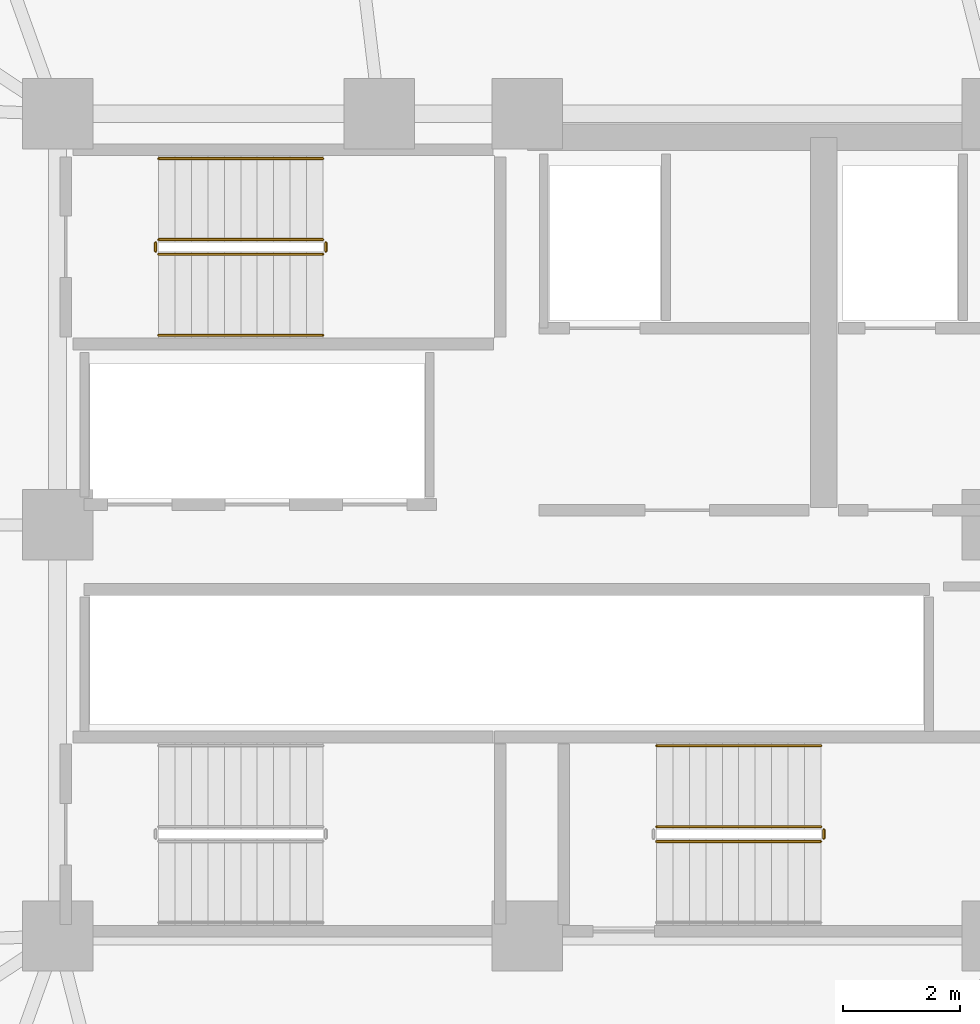
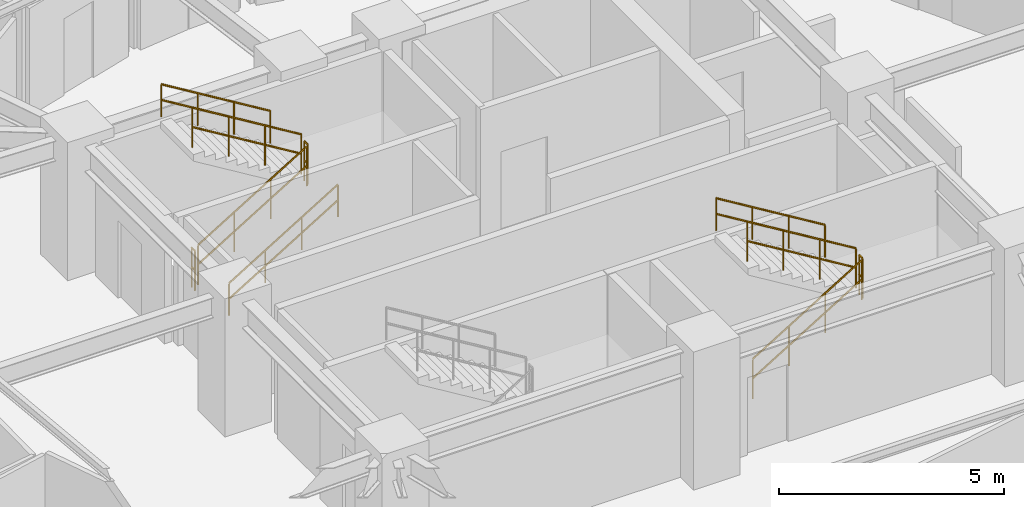
# One storey, part 34 of 35: 10 railings.
"""IFC4 building model written with IfcOpenShell, lengths in metres."""

from ifc_helpers import new_model, si_unit, direction, frame, origin, place, context, subcontext, project, spatial, polyline, outline, extrude, material, type_object, element, save


model = new_model("IFC4")

# Units and contexts
model_context = context("Model", 3, precision=1e-05, world=origin(), true_north=direction((0.0, 1.0)))
body_context = subcontext(model_context, "Body", "Model", "MODEL_VIEW")
ifc_project = project(units=[si_unit("LENGTHUNIT", "METRE"), si_unit("AREAUNIT", "SQUARE_METRE"), si_unit("VOLUMEUNIT", "CUBIC_METRE"), si_unit("PLANEANGLEUNIT", "RADIAN"), si_unit("MASSUNIT", "GRAM", prefix="KILO")], contexts=[model_context])

# Site, building, storey
site_placement = place(None, origin())
site = spatial("IfcSite", under=ifc_project, at=site_placement, CompositionType="ELEMENT")
building_placement = place(site_placement, origin())
building = spatial("IfcBuilding", under=site, at=building_placement, Name="Kelanora Arch Commons", CompositionType="ELEMENT")
storey_placement = place(building_placement, frame((0.0, 0.0, 117.60009765625)))
storey = spatial("IfcBuildingStorey", under=building, at=storey_placement, Name="L30", CompositionType="ELEMENT", Elevation=117.60009765625)

# Railings
ifc_material_1 = material(Name="Painted steel stair well guard", Category="steel")
railing_type_1 = type_object("IfcRailingType", Name="RAIL-STAIR-GRD", PredefinedType="GUARDRAIL", material=ifc_material_1)
railing_1_placement = place(storey_placement, frame((67.719970703125, 62.610107421875, 0.17041015625)))
element("IfcRailing", 1, at=railing_1_placement, inside=storey, type_object=railing_type_1, Name="L30 ST-T1 stair guard 1", PredefinedType="GUARDRAIL", context=body_context, shape_type="SweptSolid", body=[
    extrude(outline(polyline([(0.02392578125, 0.0), (0.011962890625, 0.020751953125), (-0.011962890625, 0.020751953125), (-0.02392578125, 0.0), (-0.011962890625, -0.020751953125), (0.011962890625, -0.020751953125), (0.02392578125, 0.0)])), frame((0.0, 0.0, 1.076171875), z_axis=(0.854169791009, 0.0, 0.51999420009), x_axis=(0.0, 1.0, 0.0)), (0.0, 0.0, 1.0), 3.278076171875),
    extrude(outline(polyline([(0.02392578125, 0.0), (0.011962890625, 0.020751953125), (-0.011962890625, 0.020751953125), (-0.02392578125, 0.0), (-0.011962890625, -0.020751953125), (0.011962890625, -0.020751953125), (0.02392578125, 0.0)])), frame((0.0, 0.0, 0.550048828125), z_axis=(0.854169791009, 0.0, 0.51999420009), x_axis=(0.0, 1.0, 0.0)), (0.0, 0.0, 1.0), 3.278076171875),
    extrude(outline(polyline([(0.02099609375, 0.0), (0.010498046875, 0.01806640625), (-0.010498046875, 0.01806640625), (-0.02099609375, 0.0), (-0.010498046875, -0.01806640625), (0.010498046875, -0.01806640625), (0.02099609375, 0.0)])), origin(), (0.0, 0.0, 1.0), 1.052001953125),
    extrude(outline(polyline([(0.02099609375, 0.0), (0.010498046875, 0.01806640625), (-0.010498046875, 0.01806640625), (-0.02099609375, 0.0), (-0.010498046875, -0.01806640625), (0.010498046875, -0.01806640625), (0.02099609375, 0.0)])), frame((0.933349609375, 0.0, 0.568115234375)), (0.0, 0.0, 1.0), 1.052001953125),
    extrude(outline(polyline([(0.02099609375, 0.0), (0.010498046875, 0.01806640625), (-0.010498046875, 0.01806640625), (-0.02099609375, 0.0), (-0.010498046875, -0.01806640625), (0.010498046875, -0.01806640625), (0.02099609375, 0.0)])), frame((1.86669921875, 0.0, 1.136474609375)), (0.0, 0.0, 1.0), 1.052001953125),
    extrude(outline(polyline([(0.02099609375, 0.0), (0.010498046875, 0.01806640625), (-0.010498046875, 0.01806640625), (-0.02099609375, 0.0), (-0.010498046875, -0.01806640625), (0.010498046875, -0.01806640625), (0.02099609375, 0.0)])), frame((2.800048828125, 0.0, 1.70458984375)), (0.0, 0.0, 1.0), 1.052001953125),
])
railing_2_placement = place(storey_placement, frame((70.570068359375, 62.659912109375, 1.875)))
element("IfcRailing", 2, at=railing_2_placement, inside=storey, type_object=railing_type_1, Name="L30 ST-T1 stair guard 2", PredefinedType="GUARDRAIL", context=body_context, shape_type="SweptSolid", body=[
    extrude(outline(polyline([(0.02392578125, 0.0), (0.011962890625, 0.020751953125), (-0.011962890625, 0.020751953125), (-0.02392578125, 0.0), (-0.011962890625, -0.020751953125), (0.011962890625, -0.020751953125), (0.02392578125, 0.0)])), frame((0.0, 0.0, 1.076171875), z_axis=(0.0, 1.0, 0.0), x_axis=(-1.0, 0.0, 0.0)), (0.0, 0.0, 1.0), 0.150146484375),
    extrude(outline(polyline([(0.02392578125, 0.0), (0.011962890625, 0.020751953125), (-0.011962890625, 0.020751953125), (-0.02392578125, 0.0), (-0.011962890625, -0.020751953125), (0.011962890625, -0.020751953125), (0.02392578125, 0.0)])), frame((0.0, 0.0, 0.550048828125), z_axis=(0.0, 1.0, 0.0), x_axis=(-1.0, 0.0, 0.0)), (0.0, 0.0, 1.0), 0.150146484375),
    extrude(outline(polyline([(0.02099609375, 0.0), (0.010498046875, 0.01806640625), (-0.010498046875, 0.01806640625), (-0.02099609375, 0.0), (-0.010498046875, -0.01806640625), (0.010498046875, -0.01806640625), (0.02099609375, 0.0)])), origin(), (0.0, 0.0, 1.0), 1.052001953125),
    extrude(outline(polyline([(0.02099609375, 0.0), (0.010498046875, 0.01806640625), (-0.010498046875, 0.01806640625), (-0.02099609375, 0.0), (-0.010498046875, -0.01806640625), (0.010498046875, -0.01806640625), (0.02099609375, 0.0)])), frame((0.0, 0.150146484375, 0.0)), (0.0, 0.0, 1.0), 1.052001953125),
])
railing_3_placement = place(storey_placement, frame((70.52001953125, 62.860107421875, 2.04541015625)))
element("IfcRailing", 3, at=railing_3_placement, inside=storey, type_object=railing_type_1, Name="L30 ST-T1 stair guard 3", PredefinedType="GUARDRAIL", context=body_context, shape_type="SweptSolid", body=[
    extrude(outline(polyline([(0.02392578125, 0.0), (0.011962890625, 0.020751953125), (-0.011962890625, 0.020751953125), (-0.02392578125, 0.0), (-0.011962890625, -0.020751953125), (0.011962890625, -0.020751953125), (0.02392578125, 0.0)])), frame((0.0, 0.0, 1.076171875), z_axis=(-0.854169791009, 0.0, 0.51999420009), x_axis=(0.0, -1.0, 0.0)), (0.0, 0.0, 1.0), 3.278076171875),
    extrude(outline(polyline([(0.02392578125, 0.0), (0.011962890625, 0.020751953125), (-0.011962890625, 0.020751953125), (-0.02392578125, 0.0), (-0.011962890625, -0.020751953125), (0.011962890625, -0.020751953125), (0.02392578125, 0.0)])), frame((0.0, 0.0, 0.550048828125), z_axis=(-0.854169791009, 0.0, 0.51999420009), x_axis=(0.0, -1.0, 0.0)), (0.0, 0.0, 1.0), 3.278076171875),
    extrude(outline(polyline([(0.02099609375, 0.0), (0.010498046875, 0.01806640625), (-0.010498046875, 0.01806640625), (-0.02099609375, 0.0), (-0.010498046875, -0.01806640625), (0.010498046875, -0.01806640625), (0.02099609375, 0.0)])), origin(), (0.0, 0.0, 1.0), 1.052001953125),
    extrude(outline(polyline([(0.02099609375, 0.0), (0.010498046875, 0.01806640625), (-0.010498046875, 0.01806640625), (-0.02099609375, 0.0), (-0.010498046875, -0.01806640625), (0.010498046875, -0.01806640625), (0.02099609375, 0.0)])), frame((-0.933349609375, 0.0, 0.568115234375)), (0.0, 0.0, 1.0), 1.052001953125),
    extrude(outline(polyline([(0.02099609375, 0.0), (0.010498046875, 0.01806640625), (-0.010498046875, 0.01806640625), (-0.02099609375, 0.0), (-0.010498046875, -0.01806640625), (0.010498046875, -0.01806640625), (0.02099609375, 0.0)])), frame((-1.86669921875, 0.0, 1.136474609375)), (0.0, 0.0, 1.0), 1.052001953125),
    extrude(outline(polyline([(0.02099609375, 0.0), (0.010498046875, 0.01806640625), (-0.010498046875, 0.01806640625), (-0.02099609375, 0.0), (-0.010498046875, -0.01806640625), (0.010498046875, -0.01806640625), (0.02099609375, 0.0)])), frame((-2.800048828125, 0.0, 1.70458984375)), (0.0, 0.0, 1.0), 1.052001953125),
])
railing_4_placement = place(storey_placement, frame((67.669921875, 62.659912109375, 0.0)))
element("IfcRailing", 4, at=railing_4_placement, inside=storey, type_object=railing_type_1, Name="L30 ST-T1 stair guard 4", PredefinedType="GUARDRAIL", context=body_context, shape_type="SweptSolid", body=[
    extrude(outline(polyline([(0.02392578125, 0.0), (0.011962890625, 0.020751953125), (-0.011962890625, 0.020751953125), (-0.02392578125, 0.0), (-0.011962890625, -0.020751953125), (0.011962890625, -0.020751953125), (0.02392578125, 0.0)])), frame((0.0, 0.0, 1.076171875), z_axis=(0.0, 1.0, 0.0), x_axis=(-1.0, 0.0, 0.0)), (0.0, 0.0, 1.0), 0.150146484375),
    extrude(outline(polyline([(0.02392578125, 0.0), (0.011962890625, 0.020751953125), (-0.011962890625, 0.020751953125), (-0.02392578125, 0.0), (-0.011962890625, -0.020751953125), (0.011962890625, -0.020751953125), (0.02392578125, 0.0)])), frame((0.0, 0.0, 0.550048828125), z_axis=(0.0, 1.0, 0.0), x_axis=(-1.0, 0.0, 0.0)), (0.0, 0.0, 1.0), 0.150146484375),
    extrude(outline(polyline([(0.02099609375, 0.0), (0.010498046875, 0.01806640625), (-0.010498046875, 0.01806640625), (-0.02099609375, 0.0), (-0.010498046875, -0.01806640625), (0.010498046875, -0.01806640625), (0.02099609375, 0.0)])), origin(), (0.0, 0.0, 1.0), 1.052001953125),
    extrude(outline(polyline([(0.02099609375, 0.0), (0.010498046875, 0.01806640625), (-0.010498046875, 0.01806640625), (-0.02099609375, 0.0), (-0.010498046875, -0.01806640625), (0.010498046875, -0.01806640625), (0.02099609375, 0.0)])), frame((0.0, 0.150146484375, 0.0)), (0.0, 0.0, 1.0), 1.052001953125),
])
railing_5_placement = place(storey_placement, frame((76.199951171875, 52.610107421875, 0.17041015625)))
element("IfcRailing", 5, at=railing_5_placement, inside=storey, type_object=railing_type_1, Name="L30 ST-T2 stair guard 1", PredefinedType="GUARDRAIL", context=body_context, shape_type="SweptSolid", body=[
    extrude(outline(polyline([(0.02392578125, 0.0), (0.011962890625, 0.020751953125), (-0.011962890625, 0.020751953125), (-0.02392578125, 0.0), (-0.011962890625, -0.020751953125), (0.011962890625, -0.020751953125), (0.02392578125, 0.0)])), frame((0.0, 0.0, 1.076171875), z_axis=(0.854169791009, 0.0, 0.51999420009), x_axis=(0.0, 1.0, 0.0)), (0.0, 0.0, 1.0), 3.278076171875),
    extrude(outline(polyline([(0.02392578125, 0.0), (0.011962890625, 0.020751953125), (-0.011962890625, 0.020751953125), (-0.02392578125, 0.0), (-0.011962890625, -0.020751953125), (0.011962890625, -0.020751953125), (0.02392578125, 0.0)])), frame((0.0, 0.0, 0.550048828125), z_axis=(0.854169791009, 0.0, 0.51999420009), x_axis=(0.0, 1.0, 0.0)), (0.0, 0.0, 1.0), 3.278076171875),
    extrude(outline(polyline([(0.02099609375, 0.0), (0.010498046875, 0.01806640625), (-0.010498046875, 0.01806640625), (-0.02099609375, 0.0), (-0.010498046875, -0.01806640625), (0.010498046875, -0.01806640625), (0.02099609375, 0.0)])), origin(), (0.0, 0.0, 1.0), 1.052001953125),
    extrude(outline(polyline([(0.02099609375, 0.0), (0.010498046875, 0.01806640625), (-0.010498046875, 0.01806640625), (-0.02099609375, 0.0), (-0.010498046875, -0.01806640625), (0.010498046875, -0.01806640625), (0.02099609375, 0.0)])), frame((0.933349609375, 0.0, 0.568115234375)), (0.0, 0.0, 1.0), 1.052001953125),
    extrude(outline(polyline([(0.02099609375, 0.0), (0.010498046875, 0.01806640625), (-0.010498046875, 0.01806640625), (-0.02099609375, 0.0), (-0.010498046875, -0.01806640625), (0.010498046875, -0.01806640625), (0.02099609375, 0.0)])), frame((1.86669921875, 0.0, 1.136474609375)), (0.0, 0.0, 1.0), 1.052001953125),
    extrude(outline(polyline([(0.02099609375, 0.0), (0.010498046875, 0.01806640625), (-0.010498046875, 0.01806640625), (-0.02099609375, 0.0), (-0.010498046875, -0.01806640625), (0.010498046875, -0.01806640625), (0.02099609375, 0.0)])), frame((2.800048828125, 0.0, 1.70458984375)), (0.0, 0.0, 1.0), 1.052001953125),
])
railing_6_placement = place(storey_placement, frame((79.050048828125, 52.659912109375, 1.875)))
element("IfcRailing", 6, at=railing_6_placement, inside=storey, type_object=railing_type_1, Name="L30 ST-T2 stair guard 2", PredefinedType="GUARDRAIL", context=body_context, shape_type="SweptSolid", body=[
    extrude(outline(polyline([(0.02392578125, 0.0), (0.011962890625, 0.020751953125), (-0.011962890625, 0.020751953125), (-0.02392578125, 0.0), (-0.011962890625, -0.020751953125), (0.011962890625, -0.020751953125), (0.02392578125, 0.0)])), frame((0.0, 0.0, 1.076171875), z_axis=(0.0, 1.0, 0.0), x_axis=(-1.0, 0.0, 0.0)), (0.0, 0.0, 1.0), 0.150146484375),
    extrude(outline(polyline([(0.02392578125, 0.0), (0.011962890625, 0.020751953125), (-0.011962890625, 0.020751953125), (-0.02392578125, 0.0), (-0.011962890625, -0.020751953125), (0.011962890625, -0.020751953125), (0.02392578125, 0.0)])), frame((0.0, 0.0, 0.550048828125), z_axis=(0.0, 1.0, 0.0), x_axis=(-1.0, 0.0, 0.0)), (0.0, 0.0, 1.0), 0.150146484375),
    extrude(outline(polyline([(0.02099609375, 0.0), (0.010498046875, 0.01806640625), (-0.010498046875, 0.01806640625), (-0.02099609375, 0.0), (-0.010498046875, -0.01806640625), (0.010498046875, -0.01806640625), (0.02099609375, 0.0)])), origin(), (0.0, 0.0, 1.0), 1.052001953125),
    extrude(outline(polyline([(0.02099609375, 0.0), (0.010498046875, 0.01806640625), (-0.010498046875, 0.01806640625), (-0.02099609375, 0.0), (-0.010498046875, -0.01806640625), (0.010498046875, -0.01806640625), (0.02099609375, 0.0)])), frame((0.0, 0.150146484375, 0.0)), (0.0, 0.0, 1.0), 1.052001953125),
])
railing_7_placement = place(storey_placement, frame((79.0, 52.860107421875, 2.04541015625)))
element("IfcRailing", 7, at=railing_7_placement, inside=storey, type_object=railing_type_1, Name="L30 ST-T2 stair guard 3", PredefinedType="GUARDRAIL", context=body_context, shape_type="SweptSolid", body=[
    extrude(outline(polyline([(0.02392578125, 0.0), (0.011962890625, 0.020751953125), (-0.011962890625, 0.020751953125), (-0.02392578125, 0.0), (-0.011962890625, -0.020751953125), (0.011962890625, -0.020751953125), (0.02392578125, 0.0)])), frame((0.0, 0.0, 1.076171875), z_axis=(-0.854169791009, 0.0, 0.51999420009), x_axis=(0.0, -1.0, 0.0)), (0.0, 0.0, 1.0), 3.278076171875),
    extrude(outline(polyline([(0.02392578125, 0.0), (0.011962890625, 0.020751953125), (-0.011962890625, 0.020751953125), (-0.02392578125, 0.0), (-0.011962890625, -0.020751953125), (0.011962890625, -0.020751953125), (0.02392578125, 0.0)])), frame((0.0, 0.0, 0.550048828125), z_axis=(-0.854169791009, 0.0, 0.51999420009), x_axis=(0.0, -1.0, 0.0)), (0.0, 0.0, 1.0), 3.278076171875),
    extrude(outline(polyline([(0.02099609375, 0.0), (0.010498046875, 0.01806640625), (-0.010498046875, 0.01806640625), (-0.02099609375, 0.0), (-0.010498046875, -0.01806640625), (0.010498046875, -0.01806640625), (0.02099609375, 0.0)])), origin(), (0.0, 0.0, 1.0), 1.052001953125),
    extrude(outline(polyline([(0.02099609375, 0.0), (0.010498046875, 0.01806640625), (-0.010498046875, 0.01806640625), (-0.02099609375, 0.0), (-0.010498046875, -0.01806640625), (0.010498046875, -0.01806640625), (0.02099609375, 0.0)])), frame((-0.933349609375, 0.0, 0.568115234375)), (0.0, 0.0, 1.0), 1.052001953125),
    extrude(outline(polyline([(0.02099609375, 0.0), (0.010498046875, 0.01806640625), (-0.010498046875, 0.01806640625), (-0.02099609375, 0.0), (-0.010498046875, -0.01806640625), (0.010498046875, -0.01806640625), (0.02099609375, 0.0)])), frame((-1.86669921875, 0.0, 1.136474609375)), (0.0, 0.0, 1.0), 1.052001953125),
    extrude(outline(polyline([(0.02099609375, 0.0), (0.010498046875, 0.01806640625), (-0.010498046875, 0.01806640625), (-0.02099609375, 0.0), (-0.010498046875, -0.01806640625), (0.010498046875, -0.01806640625), (0.02099609375, 0.0)])), frame((-2.800048828125, 0.0, 1.70458984375)), (0.0, 0.0, 1.0), 1.052001953125),
])
ifc_material_2 = material(Name="Brushed stainless steel stair handrail", Category="steel")
railing_type_2 = type_object("IfcRailingType", Name="RAIL-STAIR-HND", PredefinedType="HANDRAIL", material=ifc_material_2)
railing_8_placement = place(storey_placement, frame((67.719970703125, 61.22998046875, 0.17041015625)))
element("IfcRailing", 8, at=railing_8_placement, inside=storey, type_object=railing_type_2, Name="L30 ST-T1 stair handrail 1", PredefinedType="HANDRAIL", context=body_context, shape_type="SweptSolid", body=[
    extrude(outline(polyline([(0.02392578125, 0.0), (0.011962890625, 0.020751953125), (-0.011962890625, 0.020751953125), (-0.02392578125, 0.0), (-0.011962890625, -0.020751953125), (0.011962890625, -0.020751953125), (0.02392578125, 0.0)])), frame((0.0, 0.0, 0.8759765625), z_axis=(0.854169791009, 0.0, 0.51999420009), x_axis=(0.0, 1.0, 0.0)), (0.0, 0.0, 1.0), 3.278076171875),
    extrude(outline(polyline([(0.02392578125, 0.0), (0.011962890625, 0.020751953125), (-0.011962890625, 0.020751953125), (-0.02392578125, 0.0), (-0.011962890625, -0.020751953125), (0.011962890625, -0.020751953125), (0.02392578125, 0.0)])), frame((0.0, 0.0, 0.449951171875), z_axis=(0.854169791009, 0.0, 0.51999420009), x_axis=(0.0, 1.0, 0.0)), (0.0, 0.0, 1.0), 3.278076171875),
    extrude(outline(polyline([(0.02099609375, 0.0), (0.010498046875, 0.01806640625), (-0.010498046875, 0.01806640625), (-0.02099609375, 0.0), (-0.010498046875, -0.01806640625), (0.010498046875, -0.01806640625), (0.02099609375, 0.0)])), origin(), (0.0, 0.0, 1.0), 0.851806640625),
    extrude(outline(polyline([(0.02099609375, 0.0), (0.010498046875, 0.01806640625), (-0.010498046875, 0.01806640625), (-0.02099609375, 0.0), (-0.010498046875, -0.01806640625), (0.010498046875, -0.01806640625), (0.02099609375, 0.0)])), frame((0.933349609375, 0.0, 0.568115234375)), (0.0, 0.0, 1.0), 0.851806640625),
    extrude(outline(polyline([(0.02099609375, 0.0), (0.010498046875, 0.01806640625), (-0.010498046875, 0.01806640625), (-0.02099609375, 0.0), (-0.010498046875, -0.01806640625), (0.010498046875, -0.01806640625), (0.02099609375, 0.0)])), frame((1.86669921875, 0.0, 1.136474609375)), (0.0, 0.0, 1.0), 0.851806640625),
    extrude(outline(polyline([(0.02099609375, 0.0), (0.010498046875, 0.01806640625), (-0.010498046875, 0.01806640625), (-0.02099609375, 0.0), (-0.010498046875, -0.01806640625), (0.010498046875, -0.01806640625), (0.02099609375, 0.0)])), frame((2.800048828125, 0.0, 1.70458984375)), (0.0, 0.0, 1.0), 0.851806640625),
])
railing_9_placement = place(storey_placement, frame((70.52001953125, 64.239990234375, 2.04541015625)))
element("IfcRailing", 9, at=railing_9_placement, inside=storey, type_object=railing_type_2, Name="L30 ST-T1 stair handrail 2", PredefinedType="HANDRAIL", context=body_context, shape_type="SweptSolid", body=[
    extrude(outline(polyline([(0.02392578125, 0.0), (0.011962890625, 0.020751953125), (-0.011962890625, 0.020751953125), (-0.02392578125, 0.0), (-0.011962890625, -0.020751953125), (0.011962890625, -0.020751953125), (0.02392578125, 0.0)])), frame((0.0, 0.0, 0.8759765625), z_axis=(-0.854169791009, 0.0, 0.51999420009), x_axis=(0.0, -1.0, 0.0)), (0.0, 0.0, 1.0), 3.278076171875),
    extrude(outline(polyline([(0.02392578125, 0.0), (0.011962890625, 0.020751953125), (-0.011962890625, 0.020751953125), (-0.02392578125, 0.0), (-0.011962890625, -0.020751953125), (0.011962890625, -0.020751953125), (0.02392578125, 0.0)])), frame((0.0, 0.0, 0.449951171875), z_axis=(-0.854169791009, 0.0, 0.51999420009), x_axis=(0.0, -1.0, 0.0)), (0.0, 0.0, 1.0), 3.278076171875),
    extrude(outline(polyline([(0.02099609375, 0.0), (0.010498046875, 0.01806640625), (-0.010498046875, 0.01806640625), (-0.02099609375, 0.0), (-0.010498046875, -0.01806640625), (0.010498046875, -0.01806640625), (0.02099609375, 0.0)])), origin(), (0.0, 0.0, 1.0), 0.851806640625),
    extrude(outline(polyline([(0.02099609375, 0.0), (0.010498046875, 0.01806640625), (-0.010498046875, 0.01806640625), (-0.02099609375, 0.0), (-0.010498046875, -0.01806640625), (0.010498046875, -0.01806640625), (0.02099609375, 0.0)])), frame((-0.933349609375, 0.0, 0.568115234375)), (0.0, 0.0, 1.0), 0.851806640625),
    extrude(outline(polyline([(0.02099609375, 0.0), (0.010498046875, 0.01806640625), (-0.010498046875, 0.01806640625), (-0.02099609375, 0.0), (-0.010498046875, -0.01806640625), (0.010498046875, -0.01806640625), (0.02099609375, 0.0)])), frame((-1.86669921875, 0.0, 1.136474609375)), (0.0, 0.0, 1.0), 0.851806640625),
    extrude(outline(polyline([(0.02099609375, 0.0), (0.010498046875, 0.01806640625), (-0.010498046875, 0.01806640625), (-0.02099609375, 0.0), (-0.010498046875, -0.01806640625), (0.010498046875, -0.01806640625), (0.02099609375, 0.0)])), frame((-2.800048828125, 0.0, 1.70458984375)), (0.0, 0.0, 1.0), 0.851806640625),
])
railing_10_placement = place(storey_placement, frame((79.0, 54.239990234375, 2.04541015625)))
element("IfcRailing", 10, at=railing_10_placement, inside=storey, type_object=railing_type_2, Name="L30 ST-T2 stair handrail 2", PredefinedType="HANDRAIL", context=body_context, shape_type="SweptSolid", body=[
    extrude(outline(polyline([(0.02392578125, 0.0), (0.011962890625, 0.020751953125), (-0.011962890625, 0.020751953125), (-0.02392578125, 0.0), (-0.011962890625, -0.020751953125), (0.011962890625, -0.020751953125), (0.02392578125, 0.0)])), frame((0.0, 0.0, 0.8759765625), z_axis=(-0.854169791009, 0.0, 0.51999420009), x_axis=(0.0, -1.0, 0.0)), (0.0, 0.0, 1.0), 3.278076171875),
    extrude(outline(polyline([(0.02392578125, 0.0), (0.011962890625, 0.020751953125), (-0.011962890625, 0.020751953125), (-0.02392578125, 0.0), (-0.011962890625, -0.020751953125), (0.011962890625, -0.020751953125), (0.02392578125, 0.0)])), frame((0.0, 0.0, 0.449951171875), z_axis=(-0.854169791009, 0.0, 0.51999420009), x_axis=(0.0, -1.0, 0.0)), (0.0, 0.0, 1.0), 3.278076171875),
    extrude(outline(polyline([(0.02099609375, 0.0), (0.010498046875, 0.01806640625), (-0.010498046875, 0.01806640625), (-0.02099609375, 0.0), (-0.010498046875, -0.01806640625), (0.010498046875, -0.01806640625), (0.02099609375, 0.0)])), origin(), (0.0, 0.0, 1.0), 0.851806640625),
    extrude(outline(polyline([(0.02099609375, 0.0), (0.010498046875, 0.01806640625), (-0.010498046875, 0.01806640625), (-0.02099609375, 0.0), (-0.010498046875, -0.01806640625), (0.010498046875, -0.01806640625), (0.02099609375, 0.0)])), frame((-0.933349609375, 0.0, 0.568115234375)), (0.0, 0.0, 1.0), 0.851806640625),
    extrude(outline(polyline([(0.02099609375, 0.0), (0.010498046875, 0.01806640625), (-0.010498046875, 0.01806640625), (-0.02099609375, 0.0), (-0.010498046875, -0.01806640625), (0.010498046875, -0.01806640625), (0.02099609375, 0.0)])), frame((-1.86669921875, 0.0, 1.136474609375)), (0.0, 0.0, 1.0), 0.851806640625),
    extrude(outline(polyline([(0.02099609375, 0.0), (0.010498046875, 0.01806640625), (-0.010498046875, 0.01806640625), (-0.02099609375, 0.0), (-0.010498046875, -0.01806640625), (0.010498046875, -0.01806640625), (0.02099609375, 0.0)])), frame((-2.800048828125, 0.0, 1.70458984375)), (0.0, 0.0, 1.0), 0.851806640625),
])

save(model, "model.ifc")
